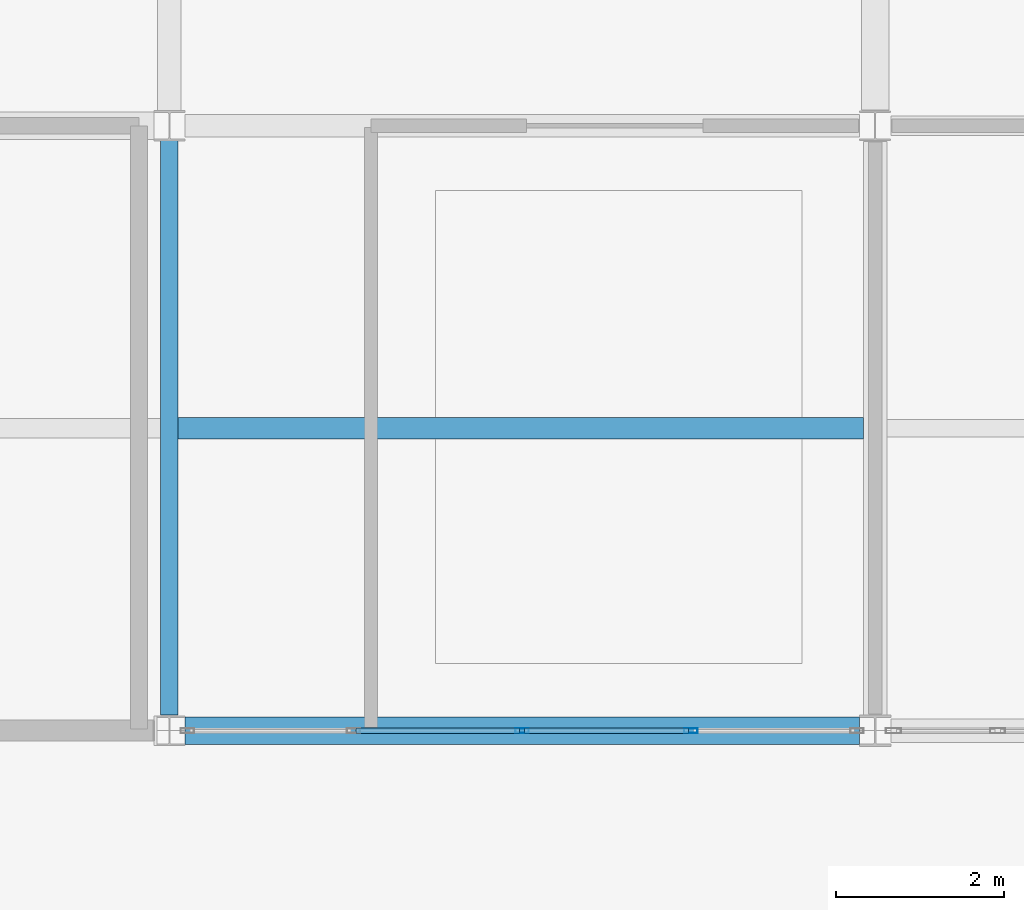
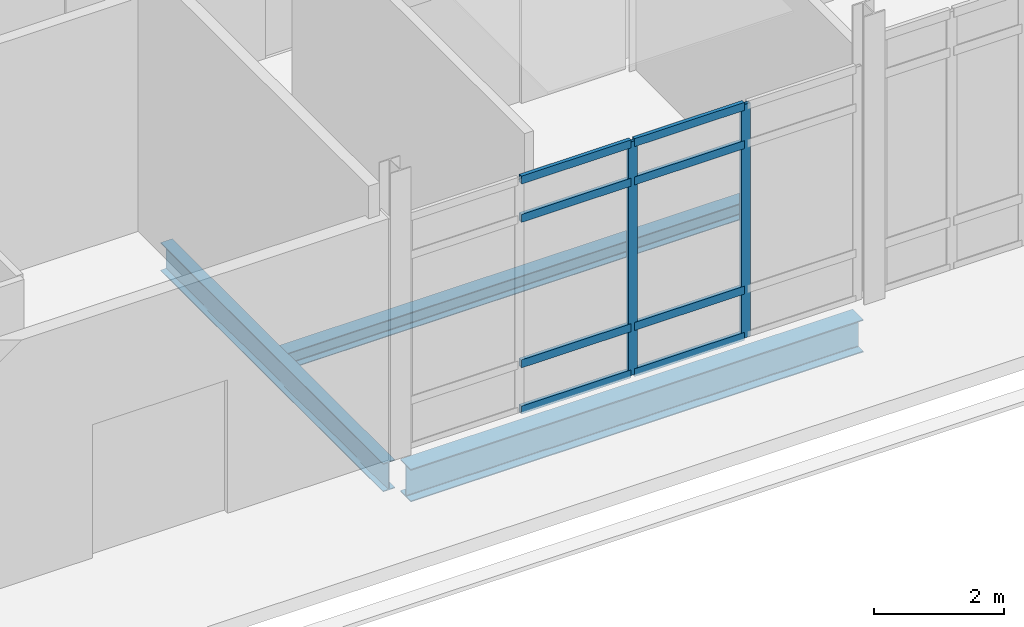
# One storey, part 36 of 229: 10 members, 3 beams, 1 element without a shape of its own.
"""IFC4 building model written with IfcOpenShell, lengths in metres."""

from ifc_helpers import new_model, si_unit, direction, frame, origin, origin_2d, place, context, subcontext, project, spatial, hollow_rectangle, i_section, extrude, material, layer, layer_set, material_profile, profile_set, type_object, element, aggregate, save


model = new_model("IFC4")

# Units and contexts
model_context = context("Model", 3, precision=1e-05, world=origin(), true_north=direction((0.0, 1.0)))
body_context = subcontext(model_context, "Body", "Model", "MODEL_VIEW")
ifc_project = project(units=[si_unit("LENGTHUNIT", "METRE"), si_unit("AREAUNIT", "SQUARE_METRE"), si_unit("VOLUMEUNIT", "CUBIC_METRE"), si_unit("PLANEANGLEUNIT", "RADIAN"), si_unit("MASSUNIT", "GRAM", prefix="KILO")], contexts=[model_context])

# Site, building, storey
site_placement = place(None, origin())
site = spatial("IfcSite", under=ifc_project, at=site_placement, CompositionType="ELEMENT")
building_placement = place(site_placement, origin())
building = spatial("IfcBuilding", under=site, at=building_placement, Name="Calvrana Isthmian Art Gallery", CompositionType="ELEMENT")
storey_placement = place(building_placement, origin())
storey = spatial("IfcBuildingStorey", under=building, at=storey_placement, Name="L00", CompositionType="ELEMENT", Elevation=0.0)

# Beams
ifc_material_1 = material(Name="Steel ASTM A992 Gr 50", Category="steel")
ifc_material_profile_1 = material_profile(ifc_material_1, i_section(OverallWidth=0.208984375, OverallDepth=0.532958984375, WebThickness=0.01025390625, FlangeThickness=0.015625, FilletRadius=0.02099609375, at=origin_2d()), Name="W21X62")
ifc_profile_set_1 = profile_set([ifc_material_profile_1], Name="Steel ASTM A992 Gr 50")
beam_type_1 = type_object("IfcBeamType", Name="BM-G-W21X62", PredefinedType="BEAM", material=ifc_profile_set_1)
beam_1_placement = place(storey_placement, frame((72.0, 0.1865234375, -0.551513671875), z_axis=(0.0, 1.0, 0.0), x_axis=(-1.0, 0.0, 0.0)))
element("IfcBeam", 1, at=beam_1_placement, inside=storey, type_object=beam_type_1, Name="Girder Y L00 10/A-B", PredefinedType="BEAM", context=body_context, shape_type="SweptSolid", body=[
    extrude(i_section(OverallWidth=0.208984375, OverallDepth=0.532958984375, WebThickness=0.01025390625, FlangeThickness=0.015625, FilletRadius=0.02099609375, at=origin_2d()), origin(), (0.0, 0.0, 1.0), 6.83544921875),
])
ifc_material_profile_2 = material_profile(ifc_material_1, i_section(OverallWidth=0.324951171875, OverallDepth=0.612060546875, WebThickness=0.0126953125, FlangeThickness=0.01904296875, FilletRadius=0.02197265625, at=origin_2d()), Name="W24X104")
ifc_profile_set_2 = profile_set([ifc_material_profile_2], Name="Steel ASTM A992 Gr 50")
beam_type_2 = type_object("IfcBeamType", Name="BM-G-W24X104", PredefinedType="BEAM", material=ifc_profile_set_2)
beam_2_placement = place(storey_placement, frame((72.1865234375, 0.0, -0.591064453125), z_axis=(1.0, 0.0, 0.0), x_axis=(0.0, 1.0, 0.0)))
element("IfcBeam", 2, at=beam_2_placement, inside=storey, type_object=beam_type_2, Name="Girder X L00 10-11/A", PredefinedType="BEAM", context=body_context, shape_type="SweptSolid", body=[
    extrude(i_section(OverallWidth=0.324951171875, OverallDepth=0.612060546875, WebThickness=0.0126953125, FlangeThickness=0.01904296875, FilletRadius=0.02197265625, at=origin_2d()), origin(), (0.0, 0.0, 1.0), 8.02685546875),
])
ifc_material_profile_3 = material_profile(ifc_material_1, i_section(OverallWidth=0.25390625, OverallDepth=0.306884765625, WebThickness=0.0087890625, FlangeThickness=0.0146484375, FilletRadius=0.01611328125, at=origin_2d()), Name="W12X53")
ifc_profile_set_3 = profile_set([ifc_material_profile_3], Name="Steel ASTM A992 Gr 50")
beam_type_3 = type_object("IfcBeamType", Name="BM-J-W12X53", PredefinedType="JOIST", material=ifc_profile_set_3)
beam_3_placement = place(storey_placement, frame((72.1044921875, 3.60009765625, -0.4384765625), z_axis=(1.0, 0.0, 0.0), x_axis=(0.0, 1.0, 0.0)))
element("IfcBeam", 3, at=beam_3_placement, inside=storey, type_object=beam_type_3, Name="Composite joist L00 bay 09-00", PredefinedType="JOIST", context=body_context, shape_type="SweptSolid", body=[
    extrude(i_section(OverallWidth=0.25390625, OverallDepth=0.306884765625, WebThickness=0.0087890625, FlangeThickness=0.0146484375, FilletRadius=0.01611328125, at=origin_2d()), origin(), (0.0, 0.0, 1.0), 8.156005859375),
])

# Curtain wall, members
ifc_material_2 = material(Name="Anodized bronze aluminium 6063-T6", Category="aluminium")
ifc_layer = layer(ifc_material_2, 0.179931640625, Name="Anodized bronze aluminium 6063-T6")
ifc_layer_set = layer_set([ifc_layer], Name="Anodized bronze aluminium 6063-T6")
curtain_wall_type = type_object("IfcCurtainWallType", Name="CW-UNIT-080X44", PredefinedType="USERDEFINED", material=ifc_layer_set)
curtain_wall_placement = place(storey_placement, origin())
curtain_wall = element("IfcCurtainWall", 4, at=curtain_wall_placement, inside=storey, type_object=curtain_wall_type, Name="Curtain wall CW-007", ObjectType="UNITISED CURTAIN WALL", PredefinedType="USERDEFINED")
ifc_material_profile_4 = material_profile(ifc_material_2, hollow_rectangle(XDim=0.06005859375, YDim=0.159912109375, WallThickness=0.00390625, at=origin_2d()), Name="CWM60X160")
ifc_profile_set_4 = profile_set([ifc_material_profile_4], Name="Anodized bronze aluminium 6063-T6")
member_type_1 = type_object("IfcMemberType", Name="CWM-CWM60X160", PredefinedType="MULLION", material=ifc_profile_set_4)
member_1_placement = place(storey_placement, frame((78.2060546875, 0.0, 0.0), z_axis=(0.0, 0.0, 1.0), x_axis=(0.0, -1.0, 0.0)))
member_1 = element("IfcMember", 5, at=member_1_placement, type_object=member_type_1, Name="CW-007 mullion 2", PredefinedType="MULLION", context=body_context, shape_type="SweptSolid", body=[
    extrude(hollow_rectangle(XDim=0.06005859375, YDim=0.159912109375, WallThickness=0.00390625, at=origin_2d()), origin(), (0.0, 0.0, 1.0), 4.3779296875),
])
member_2_placement = place(storey_placement, frame((76.19873046875, 0.0, 0.0), z_axis=(0.0, 0.0, 1.0), x_axis=(0.0, -1.0, 0.0)))
member_2 = element("IfcMember", 6, at=member_2_placement, type_object=member_type_1, Name="CW-007 mullion 3", PredefinedType="MULLION", context=body_context, shape_type="SweptSolid", body=[
    extrude(hollow_rectangle(XDim=0.06005859375, YDim=0.159912109375, WallThickness=0.00390625, at=origin_2d()), origin(), (0.0, 0.0, 1.0), 4.3779296875),
])
ifc_material_profile_5 = material_profile(ifc_material_2, hollow_rectangle(XDim=0.06494140625, YDim=0.14990234375, WallThickness=0.00390625, at=origin_2d()), Name="CWT65X150")
ifc_profile_set_5 = profile_set([ifc_material_profile_5], Name="Anodized bronze aluminium 6063-T6")
member_type_2 = type_object("IfcMemberType", Name="CWT-CWT65X150", PredefinedType="USERDEFINED", material=ifc_profile_set_5)
member_3_placement = place(storey_placement, frame((78.176025390625, 0.0, 0.032470703125), z_axis=(-1.0, 0.0, 0.0), x_axis=(0.0, -1.0, 0.0)))
member_3 = element("IfcMember", 7, at=member_3_placement, type_object=member_type_2, Name="CW-007 transom 2.1", ObjectType="TRANSOM", PredefinedType="USERDEFINED", context=body_context, shape_type="SweptSolid", body=[
    extrude(hollow_rectangle(XDim=0.06494140625, YDim=0.14990234375, WallThickness=0.00390625, at=origin_2d()), origin(), (0.0, 0.0, 1.0), 1.947265625),
])
member_4_placement = place(storey_placement, frame((78.176025390625, 0.0, 0.89990234375), z_axis=(-1.0, 0.0, 0.0), x_axis=(0.0, -1.0, 0.0)))
member_4 = element("IfcMember", 8, at=member_4_placement, type_object=member_type_2, Name="CW-007 transom 2.2", ObjectType="TRANSOM", PredefinedType="USERDEFINED", context=body_context, shape_type="SweptSolid", body=[
    extrude(hollow_rectangle(XDim=0.06494140625, YDim=0.14990234375, WallThickness=0.00390625, at=origin_2d()), origin(), (0.0, 0.0, 1.0), 1.947265625),
])
member_5_placement = place(storey_placement, frame((78.176025390625, 0.0, 3.6279296875), z_axis=(-1.0, 0.0, 0.0), x_axis=(0.0, -1.0, 0.0)))
member_5 = element("IfcMember", 9, at=member_5_placement, type_object=member_type_2, Name="CW-007 transom 2.3", ObjectType="TRANSOM", PredefinedType="USERDEFINED", context=body_context, shape_type="SweptSolid", body=[
    extrude(hollow_rectangle(XDim=0.06494140625, YDim=0.14990234375, WallThickness=0.00390625, at=origin_2d()), origin(), (0.0, 0.0, 1.0), 1.947265625),
])
member_6_placement = place(storey_placement, frame((78.176025390625, 0.0, 4.345458984375), z_axis=(-1.0, 0.0, 0.0), x_axis=(0.0, -1.0, 0.0)))
member_6 = element("IfcMember", 10, at=member_6_placement, type_object=member_type_2, Name="CW-007 transom 2.4", ObjectType="TRANSOM", PredefinedType="USERDEFINED", context=body_context, shape_type="SweptSolid", body=[
    extrude(hollow_rectangle(XDim=0.06494140625, YDim=0.14990234375, WallThickness=0.00390625, at=origin_2d()), origin(), (0.0, 0.0, 1.0), 1.947265625),
])
member_7_placement = place(storey_placement, frame((76.168701171875, 0.0, 0.032470703125), z_axis=(-1.0, 0.0, 0.0), x_axis=(0.0, -1.0, 0.0)))
member_7 = element("IfcMember", 11, at=member_7_placement, type_object=member_type_2, Name="CW-007 transom 3.1", ObjectType="TRANSOM", PredefinedType="USERDEFINED", context=body_context, shape_type="SweptSolid", body=[
    extrude(hollow_rectangle(XDim=0.06494140625, YDim=0.14990234375, WallThickness=0.00390625, at=origin_2d()), origin(), (0.0, 0.0, 1.0), 1.947265625),
])
member_8_placement = place(storey_placement, frame((76.168701171875, 0.0, 0.89990234375), z_axis=(-1.0, 0.0, 0.0), x_axis=(0.0, -1.0, 0.0)))
member_8 = element("IfcMember", 12, at=member_8_placement, type_object=member_type_2, Name="CW-007 transom 3.2", ObjectType="TRANSOM", PredefinedType="USERDEFINED", context=body_context, shape_type="SweptSolid", body=[
    extrude(hollow_rectangle(XDim=0.06494140625, YDim=0.14990234375, WallThickness=0.00390625, at=origin_2d()), origin(), (0.0, 0.0, 1.0), 1.947265625),
])
member_9_placement = place(storey_placement, frame((76.168701171875, 0.0, 3.6279296875), z_axis=(-1.0, 0.0, 0.0), x_axis=(0.0, -1.0, 0.0)))
member_9 = element("IfcMember", 13, at=member_9_placement, type_object=member_type_2, Name="CW-007 transom 3.3", ObjectType="TRANSOM", PredefinedType="USERDEFINED", context=body_context, shape_type="SweptSolid", body=[
    extrude(hollow_rectangle(XDim=0.06494140625, YDim=0.14990234375, WallThickness=0.00390625, at=origin_2d()), origin(), (0.0, 0.0, 1.0), 1.947265625),
])
member_10_placement = place(storey_placement, frame((76.168701171875, 0.0, 4.345458984375), z_axis=(-1.0, 0.0, 0.0), x_axis=(0.0, -1.0, 0.0)))
member_10 = element("IfcMember", 14, at=member_10_placement, type_object=member_type_2, Name="CW-007 transom 3.4", ObjectType="TRANSOM", PredefinedType="USERDEFINED", context=body_context, shape_type="SweptSolid", body=[
    extrude(hollow_rectangle(XDim=0.06494140625, YDim=0.14990234375, WallThickness=0.00390625, at=origin_2d()), origin(), (0.0, 0.0, 1.0), 1.947265625),
])
aggregate(curtain_wall, [member_1, member_2, member_3, member_4, member_5, member_6, member_7, member_8, member_9, member_10])

save(model, "model.ifc")
